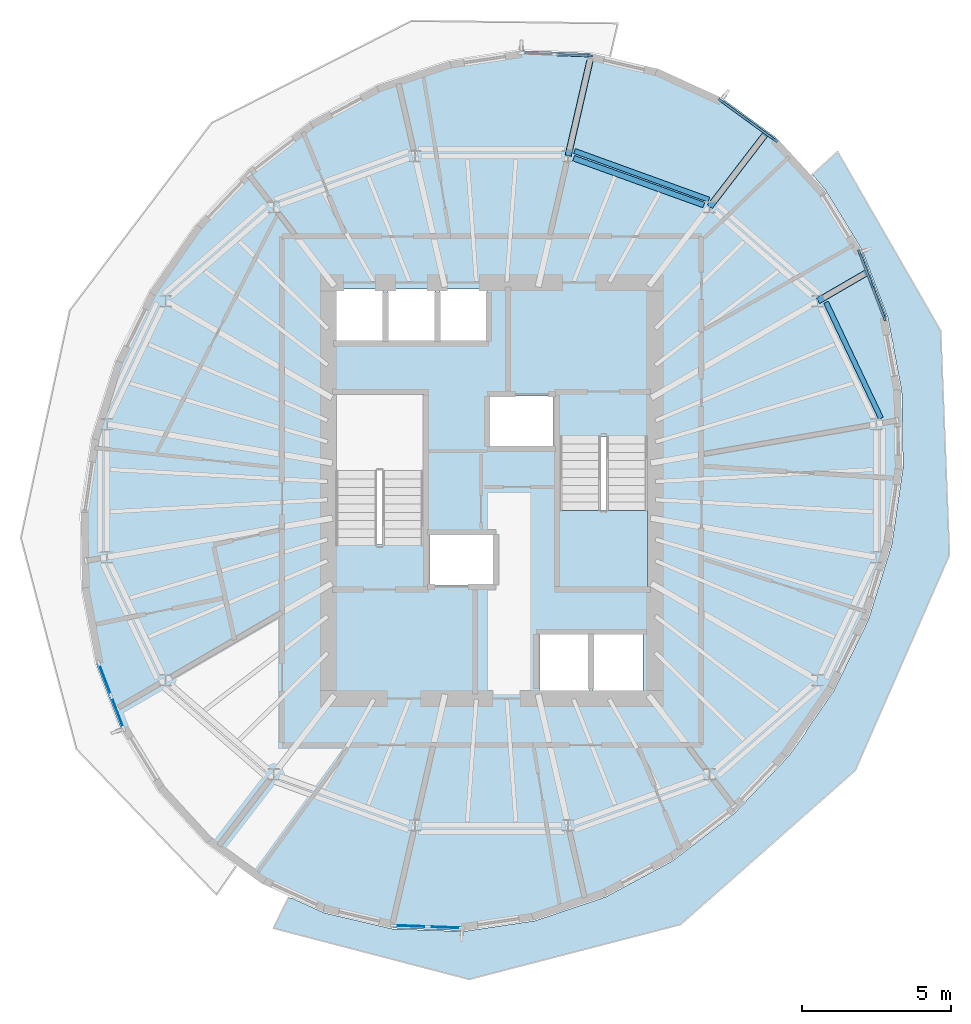
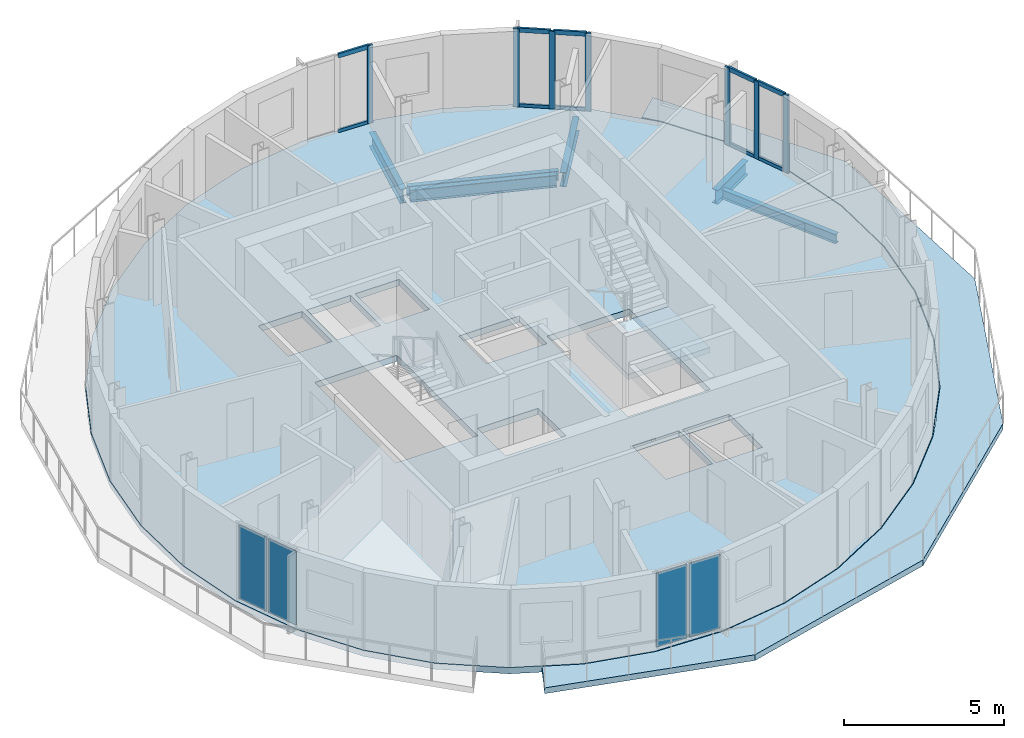
# One storey, part 3 of 11: 17 members, 6 beams, 4 plates, 3 slabs, 6 elements without a shape of their own.
"""IFC4 building model written with IfcOpenShell, lengths in metres."""

from ifc_helpers import new_model, si_unit, direction, frame, origin, origin_2d, place, context, subcontext, project, spatial, polyline, rectangle, i_section, outline, extrude, material, layer, layer_set, material_profile, profile_set, type_object, element, aggregate, save


model = new_model("IFC4")

# Units and contexts
model_context = context("Model", 3, precision=1e-05, world=origin(), true_north=direction((0.0, 1.0)))
body_context = subcontext(model_context, "Body", "Model", "MODEL_VIEW")
ifc_project = project(units=[si_unit("LENGTHUNIT", "METRE"), si_unit("AREAUNIT", "SQUARE_METRE"), si_unit("VOLUMEUNIT", "CUBIC_METRE"), si_unit("PLANEANGLEUNIT", "RADIAN"), si_unit("MASSUNIT", "GRAM", prefix="KILO")], contexts=[model_context])

# Site, building, storey
site_placement = place(None, origin())
site = spatial("IfcSite", under=ifc_project, at=site_placement, CompositionType="ELEMENT")
building_placement = place(site_placement, origin())
building = spatial("IfcBuilding", under=site, at=building_placement, Name="Veldorim Arch Residences", CompositionType="ELEMENT")
storey_placement = place(building_placement, frame((0.0, 0.0, 236.639892578125)))
storey = spatial("IfcBuildingStorey", under=building, at=storey_placement, Name="L71", CompositionType="ELEMENT", Elevation=236.639892578125)

# Beams
ifc_material_1 = material(Name="Steel S355", Category="steel")
ifc_material_profile_1 = material_profile(ifc_material_1, i_section(OverallWidth=0.2119140625, OverallDepth=0.54443359375, WebThickness=0.0126953125, FlangeThickness=0.021240234375, at=origin_2d()), Name="UB533x210x122")
ifc_profile_set_1 = profile_set([ifc_material_profile_1], Name="Steel S355")
beam_type_1 = type_object("IfcBeamType", Name="Structural Steel Beam UB533x210x122", PredefinedType="BEAM", material=ifc_profile_set_1)
beam_1_placement = place(storey_placement, frame((42.99267578125, 30.387939453125, -0.51220703125), z_axis=(0.864624474783, 0.502418667653, 0.0), x_axis=(-0.502418667653, 0.864624474783, 0.0)))
element("IfcBeam", 1, at=beam_1_placement, inside=storey, type_object=beam_type_1, Name="L71 radial edge cantilever girder 02", PredefinedType="BEAM", context=body_context, shape_type="SweptSolid", body=[
    extrude(i_section(OverallWidth=0.2119140625, OverallDepth=0.54443359375, WebThickness=0.0126953125, FlangeThickness=0.021240234375, at=origin_2d()), origin(), (0.0, 0.0, 1.0), 1.892578125),
])
beam_2_placement = place(storey_placement, frame((39.345703125, 33.561279296875, -0.51220703125), z_axis=(0.609237247817, 0.792988004873, 0.0), x_axis=(-0.792988004873, 0.609237247817, 0.0)))
element("IfcBeam", 2, at=beam_2_placement, inside=storey, type_object=beam_type_1, Name="L71 radial edge cantilever girder 03", PredefinedType="BEAM", context=body_context, shape_type="SweptSolid", body=[
    extrude(i_section(OverallWidth=0.2119140625, OverallDepth=0.54443359375, WebThickness=0.0126953125, FlangeThickness=0.021240234375, at=origin_2d()), origin(), (0.0, 0.0, 1.0), 3.09033203125),
])
beam_3_placement = place(storey_placement, frame((34.57958984375, 35.27880859375, -0.51220703125), z_axis=(0.222994562623, 0.974819688476, 0.0), x_axis=(-0.974819688476, 0.222994562623, 0.0)))
element("IfcBeam", 3, at=beam_3_placement, inside=storey, type_object=beam_type_1, Name="L71 radial edge cantilever girder 04", PredefinedType="BEAM", context=body_context, shape_type="SweptSolid", body=[
    extrude(i_section(OverallWidth=0.2119140625, OverallDepth=0.54443359375, WebThickness=0.0126953125, FlangeThickness=0.021240234375, at=origin_2d()), origin(), (0.0, 0.0, 1.0), 3.280029296875),
])
ifc_material_2 = material(Name="Steel S355", Category="steel")
ifc_material_profile_2 = material_profile(ifc_material_2, i_section(OverallWidth=0.172119140625, OverallDepth=0.35791015625, WebThickness=0.008056640625, FlangeThickness=0.012939453125, at=origin_2d()), Name="UB356x171x57")
ifc_profile_set_2 = profile_set([ifc_material_profile_2], Name="Steel S355")
beam_type_2 = type_object("IfcBeamType", Name="Structural Steel Spandrel UB356x171x57", PredefinedType="SPANDREL", material=ifc_profile_set_2)
beam_4_placement = place(storey_placement, frame((45.107666015625, 26.439208984375, -0.43896484375), z_axis=(-0.428453398876, 0.903563879862, 0.0), x_axis=(-0.903563879862, -0.428453398876, 0.0)))
element("IfcBeam", 4, at=beam_4_placement, inside=storey, type_object=beam_type_2, Name="L71 perimeter chord spandrel beam 01", PredefinedType="SPANDREL", context=body_context, shape_type="SweptSolid", body=[
    extrude(i_section(OverallWidth=0.172119140625, OverallDepth=0.35791015625, WebThickness=0.008056640625, FlangeThickness=0.012939453125, at=origin_2d()), origin(), (0.0, 0.0, 1.0), 4.31689453125),
])
beam_5_placement = place(storey_placement, frame((39.314697265625, 33.79541015625, -0.43896484375), z_axis=(-0.940181197783, 0.340674794099, 0.0), x_axis=(-0.340674794099, -0.940181197783, 0.0)))
element("IfcBeam", 5, at=beam_5_placement, inside=storey, type_object=beam_type_2, Name="L71 perimeter chord spandrel beam 03", PredefinedType="SPANDREL", context=body_context, shape_type="SweptSolid", body=[
    extrude(i_section(OverallWidth=0.172119140625, OverallDepth=0.35791015625, WebThickness=0.008056640625, FlangeThickness=0.012939453125, at=origin_2d()), origin(), (0.0, 0.0, 1.0), 4.80859375),
])
ifc_material_3 = material(Name="Steel S355", Category="steel")
ifc_material_profile_3 = material_profile(ifc_material_3, i_section(OverallWidth=0.19140625, OverallDepth=0.4599609375, WebThickness=0.010009765625, FlangeThickness=0.01611328125, at=origin_2d()), Name="UB457x191x82")
ifc_profile_set_3 = profile_set([ifc_material_profile_3], Name="Steel S355")
beam_type_3 = type_object("IfcBeamType", Name="Structural Steel Spandrel UB457x191x82", PredefinedType="SPANDREL", material=ifc_profile_set_3)
beam_6_placement = place(storey_placement, frame((39.145751953125, 33.61279296875, -0.469970703125), z_axis=(-0.940799194754, 0.338964415757, 0.0), x_axis=(-0.338964415757, -0.940799194754, 0.0)))
element("IfcBeam", 6, at=beam_6_placement, inside=storey, type_object=beam_type_3, Name="L71 perimeter ring tie beam 03", PredefinedType="SPANDREL", context=body_context, shape_type="SweptSolid", body=[
    extrude(i_section(OverallWidth=0.19140625, OverallDepth=0.4599609375, WebThickness=0.010009765625, FlangeThickness=0.01611328125, at=origin_2d()), origin(), (0.0, 0.0, 1.0), 4.65869140625),
])

# Curtain wall, member
ifc_material_4 = material(Name="Aluminium", Category="aluminium")
curtain_wall_type = type_object("IfcCurtainWallType", Name="Zone 4 High-Altitude Unitised Curtain Wall", PredefinedType="NOTDEFINED", material=ifc_material_4)
curtain_wall_1_placement = place(storey_placement, origin())
curtain_wall_1 = element("IfcCurtainWall", 7, at=curtain_wall_1_placement, inside=storey, type_object=curtain_wall_type, Name="L71 unitised curtain wall bay 03", PredefinedType="NOTDEFINED")
ifc_material_5 = material(Name="Aluminium", Category="aluminium")
ifc_material_profile_4 = material_profile(ifc_material_5, rectangle(XDim=0.074951171875, YDim=0.195068359375, at=origin_2d()), Name="ALU_MUL_75x195")
ifc_profile_set_4 = profile_set([ifc_material_profile_4], Name="Aluminium")
member_type_1 = type_object("IfcMemberType", Name="Zone 4 High-Altitude Unitised Curtain Wall Mullion 75x195", PredefinedType="MULLION", material=ifc_profile_set_4)
member_1_placement = place(storey_placement, frame((35.304443359375, 38.635986328125, 0.0), z_axis=(0.0, 0.0, 1.0), x_axis=(0.037606436173, 0.999292627791, 0.0)))
member_1 = element("IfcMember", 8, at=member_1_placement, type_object=member_type_1, Name="CW-Z4 mullion 3", PredefinedType="MULLION", context=body_context, shape_type="SweptSolid", body=[
    extrude(rectangle(XDim=0.074951171875, YDim=0.195068359375, at=origin_2d()), origin(), (0.0, 0.0, 1.0), 2.960205078125),
])

# Curtain wall, members
curtain_wall_2_placement = place(storey_placement, origin())
curtain_wall_2 = element("IfcCurtainWall", 9, at=curtain_wall_2_placement, inside=storey, type_object=curtain_wall_type, Name="L71 unitised curtain wall bay 33", PredefinedType="NOTDEFINED")
member_2_placement = place(storey_placement, frame((44.381591796875, 32.014892578125, 0.0), z_axis=(0.0, 0.0, 1.0), x_axis=(0.934865414393, 0.355002333755, 0.0)))
member_2 = element("IfcMember", 10, at=member_2_placement, type_object=member_type_1, Name="CW-Z4 mullion 1", PredefinedType="MULLION", context=body_context, shape_type="SweptSolid", body=[
    extrude(rectangle(XDim=0.074951171875, YDim=0.195068359375, at=origin_2d()), origin(), (0.0, 0.0, 1.0), 2.960205078125),
])
member_3_placement = place(storey_placement, frame((44.8017578125, 30.908447265625, 0.0), z_axis=(0.0, 0.0, 1.0), x_axis=(0.934865414393, 0.355002333755, 0.0)))
member_3 = element("IfcMember", 11, at=member_3_placement, type_object=member_type_1, Name="CW-Z4 mullion 2", PredefinedType="MULLION", context=body_context, shape_type="SweptSolid", body=[
    extrude(rectangle(XDim=0.074951171875, YDim=0.195068359375, at=origin_2d()), origin(), (0.0, 0.0, 1.0), 2.960205078125),
])
member_4_placement = place(storey_placement, frame((45.221923828125, 29.802001953125, 0.0), z_axis=(0.0, 0.0, 1.0), x_axis=(0.934865414393, 0.355002333755, 0.0)))
member_4 = element("IfcMember", 12, at=member_4_placement, type_object=member_type_1, Name="CW-Z4 mullion 3", PredefinedType="MULLION", context=body_context, shape_type="SweptSolid", body=[
    extrude(rectangle(XDim=0.074951171875, YDim=0.195068359375, at=origin_2d()), origin(), (0.0, 0.0, 1.0), 2.960205078125),
])

curtain_wall_3_placement = place(storey_placement, origin())
curtain_wall_3 = element("IfcCurtainWall", 13, at=curtain_wall_3_placement, inside=storey, type_object=curtain_wall_type, Name="L71 unitised curtain wall bay 36", PredefinedType="NOTDEFINED")
member_5_placement = place(storey_placement, frame((39.720458984375, 37.124267578125, 0.0), z_axis=(0.0, 0.0, 1.0), x_axis=(0.589278638406, 0.807929877105, 0.0)))
member_5 = element("IfcMember", 14, at=member_5_placement, type_object=member_type_1, Name="CW-Z4 mullion 1", PredefinedType="MULLION", context=body_context, shape_type="SweptSolid", body=[
    extrude(rectangle(XDim=0.074951171875, YDim=0.195068359375, at=origin_2d()), origin(), (0.0, 0.0, 1.0), 2.960205078125),
])
member_6_placement = place(storey_placement, frame((40.62939453125, 36.46142578125, 0.0), z_axis=(0.0, 0.0, 1.0), x_axis=(0.589278638406, 0.807929877105, 0.0)))
member_6 = element("IfcMember", 15, at=member_6_placement, type_object=member_type_1, Name="CW-Z4 mullion 2", PredefinedType="MULLION", context=body_context, shape_type="SweptSolid", body=[
    extrude(rectangle(XDim=0.074951171875, YDim=0.195068359375, at=origin_2d()), origin(), (0.0, 0.0, 1.0), 2.960205078125),
])
member_7_placement = place(storey_placement, frame((41.5380859375, 35.798583984375, 0.0), z_axis=(0.0, 0.0, 1.0), x_axis=(0.589278638406, 0.807929877105, 0.0)))
member_7 = element("IfcMember", 16, at=member_7_placement, type_object=member_type_1, Name="CW-Z4 mullion 3", PredefinedType="MULLION", context=body_context, shape_type="SweptSolid", body=[
    extrude(rectangle(XDim=0.074951171875, YDim=0.195068359375, at=origin_2d()), origin(), (0.0, 0.0, 1.0), 2.960205078125),
])

# Member
ifc_material_6 = material(Name="Aluminium", Category="aluminium")
ifc_material_profile_5 = material_profile(ifc_material_6, rectangle(XDim=0.074951171875, YDim=0.1650390625, at=origin_2d()), Name="ALU_TRN_75x165")
ifc_profile_set_5 = profile_set([ifc_material_profile_5], Name="Aluminium")
member_type_2 = type_object("IfcMemberType", Name="Zone 4 High-Altitude Unitised Curtain Wall Transom 75x165", PredefinedType="USERDEFINED", material=ifc_profile_set_5)
member_8_placement = place(storey_placement, frame((34.186279296875, 38.677978515625, 0.03759765625), z_axis=(0.999297404323, -0.037479297135, 0.0), x_axis=(0.037479297135, 0.999297404323, 0.0)))
member_8 = element("IfcMember", 17, at=member_8_placement, type_object=member_type_2, Name="CW-Z4 transom 2.1", ObjectType="TRANSOM", PredefinedType="USERDEFINED", context=body_context, shape_type="SweptSolid", body=[
    extrude(rectangle(XDim=0.074951171875, YDim=0.1650390625, at=origin_2d()), origin(), (0.0, 0.0, 1.0), 1.081298828125),
])

member_9_placement = place(storey_placement, frame((34.186279296875, 38.677978515625, 2.922607421875), z_axis=(0.999297404323, -0.037479297135, 0.0), x_axis=(0.037479297135, 0.999297404323, 0.0)))
member_9 = element("IfcMember", 18, at=member_9_placement, type_object=member_type_2, Name="CW-Z4 transom 2.2", ObjectType="TRANSOM", PredefinedType="USERDEFINED", context=body_context, shape_type="SweptSolid", body=[
    extrude(rectangle(XDim=0.074951171875, YDim=0.1650390625, at=origin_2d()), origin(), (0.0, 0.0, 1.0), 1.081298828125),
])

aggregate(curtain_wall_1, [member_1, member_8, member_9])

member_10_placement = place(storey_placement, frame((44.39501953125, 31.979736328125, 0.03759765625), z_axis=(0.355079172172, -0.934836232444, 0.0), x_axis=(0.934836232444, 0.355079172172, 0.0)))
member_10 = element("IfcMember", 19, at=member_10_placement, type_object=member_type_2, Name="CW-Z4 transom 1.1", ObjectType="TRANSOM", PredefinedType="USERDEFINED", context=body_context, shape_type="SweptSolid", body=[
    extrude(rectangle(XDim=0.074951171875, YDim=0.1650390625, at=origin_2d()), origin(), (0.0, 0.0, 1.0), 1.1083984375),
])

member_11_placement = place(storey_placement, frame((44.39501953125, 31.979736328125, 2.922607421875), z_axis=(0.355079172172, -0.934836232444, 0.0), x_axis=(0.934836232444, 0.355079172172, 0.0)))
member_11 = element("IfcMember", 20, at=member_11_placement, type_object=member_type_2, Name="CW-Z4 transom 1.2", ObjectType="TRANSOM", PredefinedType="USERDEFINED", context=body_context, shape_type="SweptSolid", body=[
    extrude(rectangle(XDim=0.074951171875, YDim=0.1650390625, at=origin_2d()), origin(), (0.0, 0.0, 1.0), 1.1083984375),
])

member_12_placement = place(storey_placement, frame((44.815185546875, 30.873291015625, 0.03759765625), z_axis=(0.355079172172, -0.934836232444, 0.0), x_axis=(0.934836232444, 0.355079172172, 0.0)))
member_12 = element("IfcMember", 21, at=member_12_placement, type_object=member_type_2, Name="CW-Z4 transom 2.1", ObjectType="TRANSOM", PredefinedType="USERDEFINED", context=body_context, shape_type="SweptSolid", body=[
    extrude(rectangle(XDim=0.074951171875, YDim=0.1650390625, at=origin_2d()), origin(), (0.0, 0.0, 1.0), 1.1083984375),
])

member_13_placement = place(storey_placement, frame((44.815185546875, 30.873291015625, 2.922607421875), z_axis=(0.355079172172, -0.934836232444, 0.0), x_axis=(0.934836232444, 0.355079172172, 0.0)))
member_13 = element("IfcMember", 22, at=member_13_placement, type_object=member_type_2, Name="CW-Z4 transom 2.2", ObjectType="TRANSOM", PredefinedType="USERDEFINED", context=body_context, shape_type="SweptSolid", body=[
    extrude(rectangle(XDim=0.074951171875, YDim=0.1650390625, at=origin_2d()), origin(), (0.0, 0.0, 1.0), 1.1083984375),
])

aggregate(curtain_wall_2, [member_2, member_3, member_4, member_10, member_11, member_12, member_13])

member_14_placement = place(storey_placement, frame((39.750732421875, 37.102294921875, 0.03759765625), z_axis=(0.807991387578, -0.589194295287, 0.0), x_axis=(0.589194295287, 0.807991387578, 0.0)))
member_14 = element("IfcMember", 23, at=member_14_placement, type_object=member_type_2, Name="CW-Z4 transom 1.1", ObjectType="TRANSOM", PredefinedType="USERDEFINED", context=body_context, shape_type="SweptSolid", body=[
    extrude(rectangle(XDim=0.074951171875, YDim=0.1650390625, at=origin_2d()), origin(), (0.0, 0.0, 1.0), 1.050048828125),
])

member_15_placement = place(storey_placement, frame((39.750732421875, 37.102294921875, 2.922607421875), z_axis=(0.807991387578, -0.589194295287, 0.0), x_axis=(0.589194295287, 0.807991387578, 0.0)))
member_15 = element("IfcMember", 24, at=member_15_placement, type_object=member_type_2, Name="CW-Z4 transom 1.2", ObjectType="TRANSOM", PredefinedType="USERDEFINED", context=body_context, shape_type="SweptSolid", body=[
    extrude(rectangle(XDim=0.074951171875, YDim=0.1650390625, at=origin_2d()), origin(), (0.0, 0.0, 1.0), 1.050048828125),
])

member_16_placement = place(storey_placement, frame((40.65966796875, 36.439453125, 0.03759765625), z_axis=(0.807910647088, -0.589305002798, 0.0), x_axis=(0.589305002798, 0.807910647088, 0.0)))
member_16 = element("IfcMember", 25, at=member_16_placement, type_object=member_type_2, Name="CW-Z4 transom 2.1", ObjectType="TRANSOM", PredefinedType="USERDEFINED", context=body_context, shape_type="SweptSolid", body=[
    extrude(rectangle(XDim=0.074951171875, YDim=0.1650390625, at=origin_2d()), origin(), (0.0, 0.0, 1.0), 1.0498046875),
])

member_17_placement = place(storey_placement, frame((40.65966796875, 36.439453125, 2.922607421875), z_axis=(0.807910647088, -0.589305002798, 0.0), x_axis=(0.589305002798, 0.807910647088, 0.0)))
member_17 = element("IfcMember", 26, at=member_17_placement, type_object=member_type_2, Name="CW-Z4 transom 2.2", ObjectType="TRANSOM", PredefinedType="USERDEFINED", context=body_context, shape_type="SweptSolid", body=[
    extrude(rectangle(XDim=0.074951171875, YDim=0.1650390625, at=origin_2d()), origin(), (0.0, 0.0, 1.0), 1.0498046875),
])

aggregate(curtain_wall_3, [member_5, member_6, member_7, member_14, member_15, member_16, member_17])

# Slab
ifc_material_7 = material(Name="Concrete C40/50", Category="concrete")
ifc_layer_1 = layer(ifc_material_7, 0.219970703125, Name="Planted Crescent Cantilever Balcony Slab 220")
ifc_layer_set_1 = layer_set([ifc_layer_1], Name="Concrete C40/50")
slab_type_1 = type_object("IfcSlabType", Name="Planted Crescent Cantilever Balcony Slab 220", PredefinedType="FLOOR", material=ifc_layer_set_1)
slab_1_placement = place(storey_placement, frame((0.0, 0.0, -0.219970703125)))
element("IfcSlab", 27, at=slab_1_placement, inside=storey, type_object=slab_type_1, Name="L71 planted crescent balcony slab B", PredefinedType="FLOOR", context=body_context, shape_type="SweptSolid", body=[
    extrude(outline(polyline([(25.290283203125, 10.27978515625), (26.362060546875, 9.788818359375), (28.6513671875, 9.25048828125), (31.042236328125, 9.16064453125), (33.462158203125, 9.521728515625), (35.837158203125, 10.322509765625), (38.095703125, 11.5390625), (40.168701171875, 13.1337890625), (41.99365234375, 15.05859375), (42.558349609375, 15.835693359375), (42.60888671875, 15.947021484375), (43.514892578125, 17.2548828125), (44.686767578125, 19.65625), (45.47314453125, 22.189453125), (45.85009765625, 24.777587890625), (45.806640625, 27.34228515625), (45.531982421875, 28.802978515625), (45.53369140625, 28.92919921875), (45.491943359375, 29.016357421875), (45.343505859375, 29.805908203125), (44.47509765625, 32.093017578125), (43.227294921875, 34.134521484375), (42.796142578125, 34.636474609375), (43.64501953125, 35.412353515625), (47.1171875, 29.384521484375), (47.412841796875, 21.8349609375), (44.24072265625, 14.578857421875), (38.367919921875, 9.398193359375), (31.24658203125, 7.550537109375), (24.658203125, 9.269287109375), (25.16162109375, 10.30322265625), (25.290283203125, 10.27978515625)])), origin(), (0.0, 0.0, 1.0), 0.219970703125),
])

# Stair, slab
ifc_material_8 = material(Name="Concrete C40/50", Category="concrete")
stair_type = type_object("IfcStairType", Name="Reinforced Concrete Dogleg Exit Staircase", PredefinedType="HALF_TURN_STAIR", material=ifc_material_8)
stair_placement = place(storey_placement, origin())
stair = element("IfcStair", 28, at=stair_placement, inside=storey, type_object=stair_type, Name="L71 Exit Staircase ST-2", PredefinedType="HALF_TURN_STAIR")
ifc_material_9 = material(Name="Concrete C40/50", Category="concrete")
ifc_layer_2 = layer(ifc_material_9, 0.199951171875, Name="Reinforced Concrete Stair Landing 200")
ifc_layer_set_2 = layer_set([ifc_layer_2], Name="Concrete C40/50")
slab_type_2 = type_object("IfcSlabType", Name="Reinforced Concrete Stair Landing 200", PredefinedType="LANDING", material=ifc_layer_set_2)
slab_2_placement = place(storey_placement, frame((0.0, 0.0, 1.400146484375)))
slab_2 = element("IfcSlab", 29, at=slab_2_placement, type_object=slab_type_2, Name="ST-2 landing 1", PredefinedType="LANDING", context=body_context, shape_type="SweptSolid", body=[
    extrude(outline(polyline([(34.2900390625, 23.330078125), (34.2900390625, 20.75), (37.25, 20.75), (37.25, 23.330078125), (34.2900390625, 23.330078125)])), origin(), (0.0, 0.0, 1.0), 0.199951171875),
])
aggregate(stair, [slab_2])

# Slab
ifc_material_10 = material(Name="Concrete C40/50", Category="concrete")
ifc_layer_3 = layer(ifc_material_10, 0.239990234375, Name="Typical Residential Floor Slab 240")
ifc_layer_set_3 = layer_set([ifc_layer_3], Name="Concrete C40/50")
slab_type_3 = type_object("IfcSlabType", Name="Typical Residential Floor Slab 240", PredefinedType="FLOOR", material=ifc_layer_set_3)
slab_3_placement = place(storey_placement, frame((0.0, 0.0, -0.239990234375)))
element("IfcSlab", 30, at=slab_3_placement, inside=storey, type_object=slab_type_3, Name="L71 tower structural floor slab", PredefinedType="FLOOR", context=body_context, shape_type="SweptSolid", body=[
    extrude(outline(polyline([(39.7431640625, 37.218994140625), (37.6298828125, 38.1875), (35.34521484375, 38.724609375), (32.958984375, 38.814208984375), (30.543701171875, 38.453857421875), (28.1728515625, 37.654296875), (25.91796875, 36.43994140625), (23.84814453125, 34.847412109375), (22.02587890625, 32.925537109375), (20.506591796875, 30.732421875), (19.336669921875, 28.334716796875), (18.551513671875, 25.80517578125), (18.1748046875, 23.220703125), (18.21826171875, 20.66015625), (18.6806640625, 18.200927734375), (19.547607421875, 15.918212890625), (20.792724609375, 13.880615234375), (22.378662109375, 12.15087890625), (24.2568359375, 10.781005859375), (26.3701171875, 9.8125), (28.65478515625, 9.275390625), (31.041015625, 9.185791015625), (33.456298828125, 9.546142578125), (35.8271484375, 10.345703125), (38.08203125, 11.56005859375), (40.15185546875, 13.152587890625), (41.97412109375, 15.074462890625), (43.493408203125, 17.267578125), (44.663330078125, 19.665283203125), (45.448486328125, 22.19482421875), (45.8251953125, 24.779296875), (45.78173828125, 27.33984375), (45.3193359375, 29.799072265625), (44.452392578125, 32.081787109375), (43.207275390625, 34.119384765625), (41.621337890625, 35.84912109375), (39.7431640625, 37.218994140625)]), holes=[polyline([(33.610107421875, 17.2099609375), (33.610107421875, 19.2900390625), (35.2900390625, 19.2900390625), (35.2900390625, 17.2099609375), (33.610107421875, 17.2099609375)]), polyline([(35.409912109375, 17.2099609375), (35.409912109375, 19.2900390625), (37.090087890625, 19.2900390625), (37.090087890625, 17.2099609375), (35.409912109375, 17.2099609375)]), polyline([(29.909912109375, 20.81494140625), (29.909912109375, 22.544921875), (32.090087890625, 22.544921875), (32.090087890625, 20.81494140625), (29.909912109375, 20.81494140625)]), polyline([(34.2900390625, 20.75), (34.2900390625, 25.804931640625), (37.25, 25.804931640625), (37.25, 20.75), (34.2900390625, 20.75)]), polyline([(26.75, 22.195068359375), (26.75, 27.25), (29.7099609375, 27.25), (29.7099609375, 22.195068359375), (26.75, 22.195068359375)]), polyline([(31.909912109375, 25.455078125), (31.909912109375, 27.18505859375), (34.090087890625, 27.18505859375), (34.090087890625, 25.455078125), (31.909912109375, 25.455078125)]), polyline([(26.760009765625, 28.909912109375), (26.760009765625, 30.7900390625), (28.340087890625, 30.7900390625), (28.340087890625, 28.909912109375), (26.760009765625, 28.909912109375)]), polyline([(28.510009765625, 30.7900390625), (30.090087890625, 30.7900390625), (30.090087890625, 28.909912109375), (28.510009765625, 28.909912109375), (28.510009765625, 30.7900390625)]), polyline([(30.260009765625, 30.7900390625), (31.840087890625, 30.7900390625), (31.840087890625, 28.909912109375), (30.260009765625, 28.909912109375), (30.260009765625, 30.7900390625)])]), origin(), (0.0, 0.0, 1.0), 0.239990234375),
])

# Curtain wall, plates
curtain_wall_4_placement = place(storey_placement, origin())
curtain_wall_4 = element("IfcCurtainWall", 31, at=curtain_wall_4_placement, inside=storey, type_object=curtain_wall_type, Name="L71 unitised curtain wall bay 15", PredefinedType="NOTDEFINED")
ifc_material_11 = material(Name="Laminated Low-E Glass", Category="glass")
ifc_layer_4 = layer(ifc_material_11, 0.030029296875, Name="Zone 4 High-Altitude Unitised Curtain Wall Glazing Panel 30")
ifc_layer_set_4 = layer_set([ifc_layer_4], Name="Laminated Low-E Glass")
plate_type = type_object("IfcPlateType", Name="Zone 4 High-Altitude Unitised Curtain Wall Glazing Panel 30", PredefinedType="CURTAIN_PANEL", material=ifc_layer_set_4)
plate_1_placement = place(storey_placement, frame((19.408203125, 16.538330078125, 0.0751953125), z_axis=(0.0, 0.0, 1.0), x_axis=(-0.355002333755, 0.934865414393, 0.0)))
plate_1 = element("IfcPlate", 32, at=plate_1_placement, type_object=plate_type, Name="CW-Z4 panel 1.1", PredefinedType="CURTAIN_PANEL", context=body_context, shape_type="SweptSolid", body=[
    extrude(rectangle(XDim=1.1083984375, YDim=0.030029296875, at=origin_2d()), origin(), (0.0, 0.0, 1.0), 2.81005859375),
])
plate_2_placement = place(storey_placement, frame((18.988037109375, 17.644775390625, 0.0751953125), z_axis=(0.0, 0.0, 1.0), x_axis=(-0.355002333755, 0.934865414393, 0.0)))
plate_2 = element("IfcPlate", 33, at=plate_2_placement, type_object=plate_type, Name="CW-Z4 panel 2.1", PredefinedType="CURTAIN_PANEL", context=body_context, shape_type="SweptSolid", body=[
    extrude(rectangle(XDim=1.1083984375, YDim=0.030029296875, at=origin_2d()), origin(), (0.0, 0.0, 1.0), 2.81005859375),
])
aggregate(curtain_wall_4, [plate_1, plate_2])

curtain_wall_5_placement = place(storey_placement, origin())
curtain_wall_5 = element("IfcCurtainWall", 34, at=curtain_wall_5_placement, inside=storey, type_object=curtain_wall_type, Name="L71 unitised curtain wall bay 21", PredefinedType="NOTDEFINED")
plate_3_placement = place(storey_placement, frame((30.428955078125, 9.298828125, 0.0751953125), z_axis=(0.0, 0.0, 1.0), x_axis=(-0.999292627791, 0.037606436173, 0.0)))
plate_3 = element("IfcPlate", 35, at=plate_3_placement, type_object=plate_type, Name="CW-Z4 panel 1.1", PredefinedType="CURTAIN_PANEL", context=body_context, shape_type="SweptSolid", body=[
    extrude(rectangle(XDim=1.08154296875, YDim=0.030029296875, at=origin_2d()), origin(), (0.0, 0.0, 1.0), 2.81005859375),
])
plate_4_placement = place(storey_placement, frame((29.2734375, 9.34228515625, 0.0751953125), z_axis=(0.0, 0.0, 1.0), x_axis=(-0.999292627791, 0.037606436173, 0.0)))
plate_4 = element("IfcPlate", 36, at=plate_4_placement, type_object=plate_type, Name="CW-Z4 panel 2.1", PredefinedType="CURTAIN_PANEL", context=body_context, shape_type="SweptSolid", body=[
    extrude(rectangle(XDim=1.08154296875, YDim=0.030029296875, at=origin_2d()), origin(), (0.0, 0.0, 1.0), 2.81005859375),
])
aggregate(curtain_wall_5, [plate_3, plate_4])

save(model, "model.ifc")
